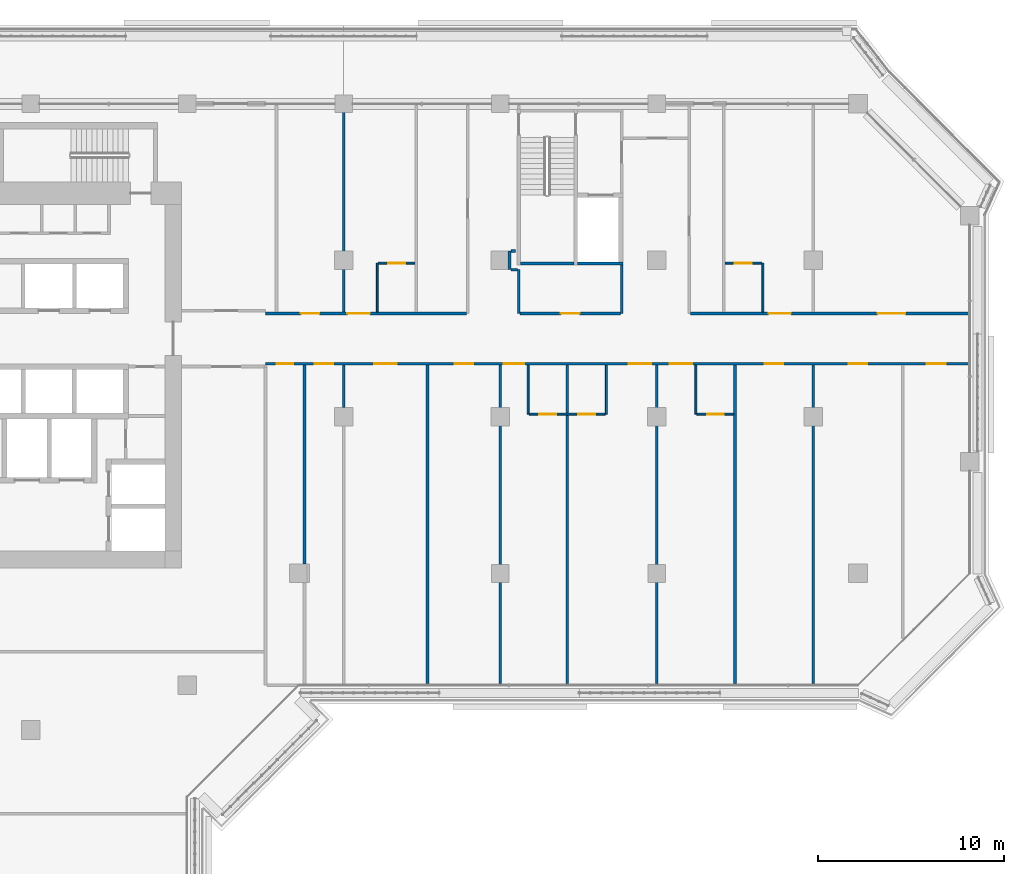
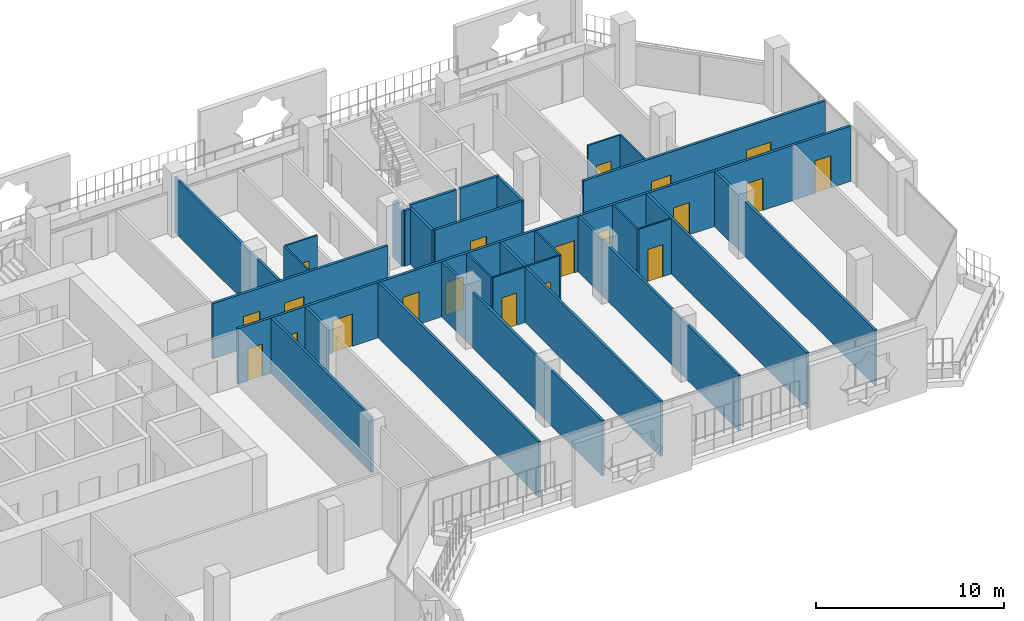
# One storey, part 13 of 22: 29 walls, 20 doors, 20 openings.
"""IFC4 building model written with IfcOpenShell, lengths in metres."""

from ifc_helpers import new_model, si_unit, direction, frame, frame_2d, origin, place, context, subcontext, project, spatial, rectangle, extrude, material, layer, layer_set, type_object, element, fill, save


model = new_model("IFC4")

# Units and contexts
model_context = context("Model", 3, precision=1e-05, world=origin(), true_north=direction((0.0, 1.0)))
body_context = subcontext(model_context, "Body", "Model", "MODEL_VIEW")
ifc_project = project(units=[si_unit("LENGTHUNIT", "METRE"), si_unit("AREAUNIT", "SQUARE_METRE"), si_unit("VOLUMEUNIT", "CUBIC_METRE"), si_unit("PLANEANGLEUNIT", "RADIAN"), si_unit("MASSUNIT", "GRAM", prefix="KILO")], contexts=[model_context])

# Site, building, storey
site_placement = place(None, origin())
site = spatial("IfcSite", under=ifc_project, at=site_placement, CompositionType="ELEMENT")
building_placement = place(site_placement, origin())
building = spatial("IfcBuilding", under=site, at=building_placement, Name="Kawkab Arch Medical Tower", CompositionType="ELEMENT")
storey_placement = place(building_placement, frame((0.0, 0.0, 196.199951171875)))
storey = spatial("IfcBuildingStorey", under=building, at=storey_placement, Name="L45", CompositionType="ELEMENT", Elevation=196.199951171875)

# Wall, openings, doors
ifc_material_1 = material(Name="Gypsum board partition on steel studs", Category="steel")
ifc_layer_1 = layer(ifc_material_1, 0.10009765625)
ifc_layer_set_1 = layer_set([ifc_layer_1], Name="Gypsum board partition on steel studs")
wall_type_1 = type_object("IfcWallType", Name="Partition 100", PredefinedType="PARTITIONING", material=ifc_layer_set_1)
wall_1_placement = place(storey_placement, frame((43.550048828125, -16.64990234375, 0.0), z_axis=(0.0, 0.0, 1.0), x_axis=(1.0, 0.0, 0.0)))
wall_1 = element("IfcWall", 1, at=wall_1_placement, inside=storey, type_object=wall_type_1, Name="Partition 100 w003", PredefinedType="PARTITIONING", context=body_context, shape_type="SweptSolid", body=[
    extrude(rectangle(XDim=4.099853515625, YDim=0.10009765625, at=frame_2d((2.0498046875, 0.0))), origin(), (0.0, 0.0, 1.0), 3.60009765625),
])
opening_1_placement = place(wall_1_placement, frame((0.550048828125, 0.0, 0.0)))
opening_1 = element("IfcOpeningElement", 2, at=opening_1_placement, cuts=wall_1, Name="Opening W40-007", PredefinedType="OPENING", context=body_context, shape_type="SweptSolid", body=[
    extrude(rectangle(XDim=0.89990234375, YDim=2.10009765625, at=frame_2d((0.449951171875, 1.050048828125))), frame((0.0, 0.06005859375, 0.0), z_axis=(0.0, -1.0, 0.0), x_axis=(1.0, 0.0, 0.0)), (0.0, 0.0, 1.0), 0.1201171875),
])
opening_2_placement = place(wall_1_placement, frame((2.64990234375, 0.0, 0.0)))
opening_2 = element("IfcOpeningElement", 3, at=opening_2_placement, cuts=wall_1, Name="Opening W40-008", PredefinedType="OPENING", context=body_context, shape_type="SweptSolid", body=[
    extrude(rectangle(XDim=0.89990234375, YDim=2.10009765625, at=frame_2d((0.449951171875, 1.050048828125))), frame((0.0, 0.06005859375, 0.0), z_axis=(0.0, -1.0, 0.0), x_axis=(1.0, 0.0, 0.0)), (0.0, 0.0, 1.0), 0.1201171875),
])
ifc_material_2 = material(Name="Timber door leaf", Category="wood")
door_type_1 = type_object("IfcDoorType", Name="Single door 900x2100", OperationType="NOTDEFINED", PredefinedType="DOOR", material=ifc_material_2)
door_1_placement = place(opening_1_placement, origin())
door_1 = element("IfcDoor", 4, at=door_1_placement, inside=storey, type_object=door_type_1, Name="Door W40-007", OperationType="SINGLE_SWING_RIGHT", OverallHeight=2.10009765625, OverallWidth=0.89990234375, PredefinedType="DOOR", context=body_context, shape_type="SweptSolid", body=[
    extrude(rectangle(XDim=0.89990234375, YDim=2.10009765625, at=frame_2d((0.449951171875, 1.050048828125))), frame((0.0, 0.02490234375, 0.0), z_axis=(0.0, -1.0, 0.0), x_axis=(1.0, 0.0, 0.0)), (0.0, 0.0, 1.0), 0.050048828125),
])
fill(opening_1, door_1)
door_2_placement = place(opening_2_placement, origin())
door_2 = element("IfcDoor", 5, at=door_2_placement, inside=storey, type_object=door_type_1, Name="Door W40-008", OperationType="SINGLE_SWING_LEFT", OverallHeight=2.10009765625, OverallWidth=0.89990234375, PredefinedType="DOOR", context=body_context, shape_type="SweptSolid", body=[
    extrude(rectangle(XDim=0.89990234375, YDim=2.10009765625, at=frame_2d((0.449951171875, 1.050048828125))), frame((0.0, 0.02490234375, 0.0), z_axis=(0.0, -1.0, 0.0), x_axis=(1.0, 0.0, 0.0)), (0.0, 0.0, 1.0), 0.050048828125),
])
fill(opening_2, door_2)

# Wall, opening, door
wall_2_placement = place(storey_placement, frame((52.550048828125, -16.64990234375, 0.0), z_axis=(0.0, 0.0, 1.0), x_axis=(1.0, 0.0, 0.0)))
wall_2 = element("IfcWall", 6, at=wall_2_placement, inside=storey, type_object=wall_type_1, Name="Partition 100 w004", PredefinedType="PARTITIONING", context=body_context, shape_type="SweptSolid", body=[
    extrude(rectangle(XDim=1.974853515625, YDim=0.10009765625, at=frame_2d((0.9873046875, 0.0))), origin(), (0.0, 0.0, 1.0), 3.60009765625),
])
opening_3_placement = place(wall_2_placement, frame((0.550048828125, 0.0, 0.0)))
opening_3 = element("IfcOpeningElement", 7, at=opening_3_placement, cuts=wall_2, Name="Opening W40-009", PredefinedType="OPENING", context=body_context, shape_type="SweptSolid", body=[
    extrude(rectangle(XDim=0.89990234375, YDim=2.10009765625, at=frame_2d((0.449951171875, 1.050048828125))), frame((0.0, 0.06005859375, 0.0), z_axis=(0.0, -1.0, 0.0), x_axis=(1.0, 0.0, 0.0)), (0.0, 0.0, 1.0), 0.1201171875),
])
door_3_placement = place(opening_3_placement, origin())
door_3 = element("IfcDoor", 8, at=door_3_placement, inside=storey, type_object=door_type_1, Name="Door W40-009", OperationType="SINGLE_SWING_RIGHT", OverallHeight=2.10009765625, OverallWidth=0.89990234375, PredefinedType="DOOR", context=body_context, shape_type="SweptSolid", body=[
    extrude(rectangle(XDim=0.89990234375, YDim=2.10009765625, at=frame_2d((0.449951171875, 1.050048828125))), frame((0.0, 0.02490234375, 0.0), z_axis=(0.0, -1.0, 0.0), x_axis=(1.0, 0.0, 0.0)), (0.0, 0.0, 1.0), 0.050048828125),
])
fill(opening_3, door_3)

wall_3_placement = place(storey_placement, frame((35.449951171875, -8.550048828125, 0.0), z_axis=(0.0, 0.0, 1.0), x_axis=(1.0, 0.0, 0.0)))
wall_3 = element("IfcWall", 9, at=wall_3_placement, inside=storey, type_object=wall_type_1, Name="Partition 100 w005", PredefinedType="PARTITIONING", context=body_context, shape_type="SweptSolid", body=[
    extrude(rectangle(XDim=1.97509765625, YDim=0.10009765625, at=frame_2d((0.987548828125, 0.0))), origin(), (0.0, 0.0, 1.0), 3.60009765625),
])
opening_4_placement = place(wall_3_placement, frame((0.550048828125, 0.0, 0.0)))
opening_4 = element("IfcOpeningElement", 10, at=opening_4_placement, cuts=wall_3, Name="Opening W40-005", PredefinedType="OPENING", context=body_context, shape_type="SweptSolid", body=[
    extrude(rectangle(XDim=0.89990234375, YDim=2.10009765625, at=frame_2d((0.449951171875, 1.050048828125))), frame((0.0, 0.06005859375, 0.0), z_axis=(0.0, -1.0, 0.0), x_axis=(1.0, 0.0, 0.0)), (0.0, 0.0, 1.0), 0.1201171875),
])
door_4_placement = place(opening_4_placement, origin())
door_4 = element("IfcDoor", 11, at=door_4_placement, inside=storey, type_object=door_type_1, Name="Door W40-005", OperationType="SINGLE_SWING_LEFT", OverallHeight=2.10009765625, OverallWidth=0.89990234375, PredefinedType="DOOR", context=body_context, shape_type="SweptSolid", body=[
    extrude(rectangle(XDim=0.89990234375, YDim=2.10009765625, at=frame_2d((0.449951171875, 1.050048828125))), frame((0.0, 0.02490234375, 0.0), z_axis=(0.0, -1.0, 0.0), x_axis=(1.0, 0.0, 0.0)), (0.0, 0.0, 1.0), 0.050048828125),
])
fill(opening_4, door_4)

wall_4_placement = place(storey_placement, frame((54.074951171875, -8.550048828125, 0.0), z_axis=(0.0, 0.0, 1.0), x_axis=(1.0, 0.0, 0.0)))
wall_4 = element("IfcWall", 12, at=wall_4_placement, inside=storey, type_object=wall_type_1, Name="Partition 100 w006", PredefinedType="PARTITIONING", context=body_context, shape_type="SweptSolid", body=[
    extrude(rectangle(XDim=1.97509765625, YDim=0.10009765625, at=frame_2d((0.987548828125, 0.0))), origin(), (0.0, 0.0, 1.0), 3.60009765625),
])
opening_5_placement = place(wall_4_placement, frame((0.52490234375, 0.0, 0.0)))
opening_5 = element("IfcOpeningElement", 13, at=opening_5_placement, cuts=wall_4, Name="Opening W40-006", PredefinedType="OPENING", context=body_context, shape_type="SweptSolid", body=[
    extrude(rectangle(XDim=0.89990234375, YDim=2.10009765625, at=frame_2d((0.449951171875, 1.050048828125))), frame((0.0, 0.06005859375, 0.0), z_axis=(0.0, -1.0, 0.0), x_axis=(1.0, 0.0, 0.0)), (0.0, 0.0, 1.0), 0.1201171875),
])
door_5_placement = place(opening_5_placement, origin())
door_5 = element("IfcDoor", 14, at=door_5_placement, inside=storey, type_object=door_type_1, Name="Door W40-006", OperationType="SINGLE_SWING_LEFT", OverallHeight=2.10009765625, OverallWidth=0.89990234375, PredefinedType="DOOR", context=body_context, shape_type="SweptSolid", body=[
    extrude(rectangle(XDim=0.89990234375, YDim=2.10009765625, at=frame_2d((0.449951171875, 1.050048828125))), frame((0.0, 0.02490234375, 0.0), z_axis=(0.0, -1.0, 0.0), x_axis=(1.0, 0.0, 0.0)), (0.0, 0.0, 1.0), 0.050048828125),
])
fill(opening_5, door_5)

# Walls
for number, where, z_axis, x_axis, name in (
    (15, (35.39990234375, -11.175048828125, 0.0), (0.0, 0.0, 1.0), (0.0, 1.0, 0.0), "Partition 100 w010"),
    (16, (43.5, -16.64990234375, 0.0), (0.0, 0.0, 1.0), (0.0, 1.0, 0.0), "Partition 100 w011"),
    (17, (47.699951171875, -16.64990234375, 0.0), (0.0, 0.0, 1.0), (0.0, 1.0, 0.0), "Partition 100 w012"),
    (18, (52.5, -16.64990234375, 0.0), (0.0, 0.0, 1.0), (0.0, 1.0, 0.0), "Partition 100 w013"),
    (19, (56.10009765625, -11.175048828125, 0.0), (0.0, 0.0, 1.0), (0.0, 1.0, 0.0), "Partition 100 w014"),
):
    element("IfcWall", number, at=place(storey_placement, frame(where, z_axis=z_axis, x_axis=x_axis)), inside=storey, type_object=wall_type_1, Name=name, PredefinedType="PARTITIONING", context=body_context, shape_type="SweptSolid", body=[
        extrude(rectangle(XDim=2.625, YDim=0.10009765625, at=frame_2d((1.3125, 0.0))), origin(), (0.0, 0.0, 1.0), 3.60009765625),
    ])

# Wall, openings, doors
ifc_material_3 = material(Name="Gypsum board partition on steel studs, mineral wool", Category="steel")
ifc_layer_2 = layer(ifc_material_3, 0.14990234375)
ifc_layer_set_2 = layer_set([ifc_layer_2], Name="Gypsum board partition on steel studs, mineral wool")
wall_type_2 = type_object("IfcWallType", Name="Partition 150", PredefinedType="PARTITIONING", material=ifc_layer_set_2)
wall_5_placement = place(storey_placement, frame((29.39990234375, -13.949951171875, 0.0), z_axis=(0.0, 0.0, 1.0), x_axis=(1.0, 0.0, 0.0)))
wall_5 = element("IfcWall", 20, at=wall_5_placement, inside=storey, type_object=wall_type_2, Name="Partition 150 w028", PredefinedType="PARTITIONING", context=body_context, shape_type="SweptSolid", body=[
    extrude(rectangle(XDim=37.72021484375, YDim=0.14990234375, at=frame_2d((18.860107421875, 0.0))), origin(), (0.0, 0.0, 1.0), 3.60009765625),
])
opening_6_placement = place(wall_5_placement, frame((10.14990234375, 0.0, 0.0)))
opening_6 = element("IfcOpeningElement", 21, at=opening_6_placement, cuts=wall_5, Name="Opening W40-019", PredefinedType="OPENING", context=body_context, shape_type="SweptSolid", body=[
    extrude(rectangle(XDim=1.0, YDim=2.10009765625, at=frame_2d((0.5, 1.050048828125))), frame((0.0, 0.0849609375, 0.0), z_axis=(0.0, -1.0, 0.0), x_axis=(1.0, 0.0, 0.0)), (0.0, 0.0, 1.0), 0.169921875),
])
opening_7_placement = place(wall_5_placement, frame((12.800048828125, 0.0, 0.0)))
opening_7 = element("IfcOpeningElement", 22, at=opening_7_placement, cuts=wall_5, Name="Opening W40-026", PredefinedType="OPENING", context=body_context, shape_type="SweptSolid", body=[
    extrude(rectangle(XDim=1.10009765625, YDim=2.10009765625, at=frame_2d((0.550048828125, 1.050048828125))), frame((0.0, 0.0849609375, 0.0), z_axis=(0.0, -1.0, 0.0), x_axis=(1.0, 0.0, 0.0)), (0.0, 0.0, 1.0), 0.169921875),
])
opening_8_placement = place(wall_5_placement, frame((19.5, 0.0, 0.0)))
opening_8 = element("IfcOpeningElement", 23, at=opening_8_placement, cuts=wall_5, Name="Opening W40-031", PredefinedType="OPENING", context=body_context, shape_type="SweptSolid", body=[
    extrude(rectangle(XDim=1.199951171875, YDim=2.10009765625, at=frame_2d((0.60009765625, 1.050048828125))), frame((0.0, 0.0849609375, 0.0), z_axis=(0.0, -1.0, 0.0), x_axis=(1.0, 0.0, 0.0)), (0.0, 0.0, 1.0), 0.169921875),
])
opening_9_placement = place(wall_5_placement, frame((21.699951171875, 0.0, 0.0)))
opening_9 = element("IfcOpeningElement", 24, at=opening_9_placement, cuts=wall_5, Name="Opening W40-032", PredefinedType="OPENING", context=body_context, shape_type="SweptSolid", body=[
    extrude(rectangle(XDim=1.199951171875, YDim=2.10009765625, at=frame_2d((0.60009765625, 1.050048828125))), frame((0.0, 0.0849609375, 0.0), z_axis=(0.0, -1.0, 0.0), x_axis=(1.0, 0.0, 0.0)), (0.0, 0.0, 1.0), 0.169921875),
])
opening_10_placement = place(wall_5_placement, frame((26.800048828125, 0.0, 0.0)))
opening_10 = element("IfcOpeningElement", 25, at=opening_10_placement, cuts=wall_5, Name="Opening W40-020", PredefinedType="OPENING", context=body_context, shape_type="SweptSolid", body=[
    extrude(rectangle(XDim=1.0, YDim=2.10009765625, at=frame_2d((0.5, 1.050048828125))), frame((0.0, 0.0849609375, 0.0), z_axis=(0.0, -1.0, 0.0), x_axis=(1.0, 0.0, 0.0)), (0.0, 0.0, 1.0), 0.169921875),
])
opening_11_placement = place(wall_5_placement, frame((31.300048828125, 0.0, 0.0)))
opening_11 = element("IfcOpeningElement", 26, at=opening_11_placement, cuts=wall_5, Name="Opening W40-021", PredefinedType="OPENING", context=body_context, shape_type="SweptSolid", body=[
    extrude(rectangle(XDim=1.0, YDim=2.10009765625, at=frame_2d((0.5, 1.050048828125))), frame((0.0, 0.0849609375, 0.0), z_axis=(0.0, -1.0, 0.0), x_axis=(1.0, 0.0, 0.0)), (0.0, 0.0, 1.0), 0.169921875),
])
opening_12_placement = place(wall_5_placement, frame((35.5, 0.0, 0.0)))
opening_12 = element("IfcOpeningElement", 27, at=opening_12_placement, cuts=wall_5, Name="Opening W40-022", PredefinedType="OPENING", context=body_context, shape_type="SweptSolid", body=[
    extrude(rectangle(XDim=1.0, YDim=2.10009765625, at=frame_2d((0.5, 1.050048828125))), frame((0.0, 0.0849609375, 0.0), z_axis=(0.0, -1.0, 0.0), x_axis=(1.0, 0.0, 0.0)), (0.0, 0.0, 1.0), 0.169921875),
])
opening_13_placement = place(wall_5_placement, frame((0.60009765625, 0.0, 0.0)))
opening_13 = element("IfcOpeningElement", 28, at=opening_13_placement, cuts=wall_5, Name="Opening W40-012", PredefinedType="OPENING", context=body_context, shape_type="SweptSolid", body=[
    extrude(rectangle(XDim=0.89990234375, YDim=2.10009765625, at=frame_2d((0.449951171875, 1.050048828125))), frame((0.0, 0.0849609375, 0.0), z_axis=(0.0, -1.0, 0.0), x_axis=(1.0, 0.0, 0.0)), (0.0, 0.0, 1.0), 0.169921875),
])
opening_14_placement = place(wall_5_placement, frame((2.64990234375, 0.0, 0.0)))
opening_14 = element("IfcOpeningElement", 29, at=opening_14_placement, cuts=wall_5, Name="Opening W40-013", PredefinedType="OPENING", context=body_context, shape_type="SweptSolid", body=[
    extrude(rectangle(XDim=1.0, YDim=2.10009765625, at=frame_2d((0.5, 1.050048828125))), frame((0.0, 0.0849609375, 0.0), z_axis=(0.0, -1.0, 0.0), x_axis=(1.0, 0.0, 0.0)), (0.0, 0.0, 1.0), 0.169921875),
])
opening_15_placement = place(wall_5_placement, frame((5.85009765625, 0.0, 0.0)))
opening_15 = element("IfcOpeningElement", 30, at=opening_15_placement, cuts=wall_5, Name="Opening W40-037", PredefinedType="OPENING", context=body_context, shape_type="SweptSolid", body=[
    extrude(rectangle(XDim=1.199951171875, YDim=2.10009765625, at=frame_2d((0.60009765625, 1.050048828125))), frame((0.0, 0.0849609375, 0.0), z_axis=(0.0, -1.0, 0.0), x_axis=(1.0, 0.0, 0.0)), (0.0, 0.0, 1.0), 0.169921875),
])
ifc_material_4 = material(Name="Timber door leaf", Category="wood")
door_type_2 = type_object("IfcDoorType", Name="Single door 1000x2100", OperationType="NOTDEFINED", PredefinedType="DOOR", material=ifc_material_4)
door_6_placement = place(opening_14_placement, origin())
door_6 = element("IfcDoor", 31, at=door_6_placement, inside=storey, type_object=door_type_2, Name="Door W40-013", OperationType="SINGLE_SWING_RIGHT", OverallHeight=2.10009765625, OverallWidth=1.0, PredefinedType="DOOR", context=body_context, shape_type="SweptSolid", body=[
    extrude(rectangle(XDim=1.0, YDim=2.10009765625, at=frame_2d((0.5, 1.050048828125))), frame((0.0, 0.02490234375, 0.0), z_axis=(0.0, -1.0, 0.0), x_axis=(1.0, 0.0, 0.0)), (0.0, 0.0, 1.0), 0.050048828125),
])
fill(opening_14, door_6)
ifc_material_5 = material(Name="Hollow metal door leaf")
door_type_3 = type_object("IfcDoorType", Name="Single door 1000x2100 FD30S", OperationType="NOTDEFINED", PredefinedType="DOOR", material=ifc_material_5)
door_7_placement = place(opening_6_placement, origin())
door_7 = element("IfcDoor", 32, at=door_7_placement, inside=storey, type_object=door_type_3, Name="Door W40-019", OperationType="SINGLE_SWING_RIGHT", OverallHeight=2.10009765625, OverallWidth=1.0, PredefinedType="DOOR", context=body_context, shape_type="SweptSolid", body=[
    extrude(rectangle(XDim=1.0, YDim=2.10009765625, at=frame_2d((0.5, 1.050048828125))), frame((0.0, 0.02490234375, 0.0), z_axis=(0.0, -1.0, 0.0), x_axis=(1.0, 0.0, 0.0)), (0.0, 0.0, 1.0), 0.050048828125),
])
fill(opening_6, door_7)
door_8_placement = place(opening_10_placement, origin())
door_8 = element("IfcDoor", 33, at=door_8_placement, inside=storey, type_object=door_type_3, Name="Door W40-020", OperationType="SINGLE_SWING_LEFT", OverallHeight=2.10009765625, OverallWidth=1.0, PredefinedType="DOOR", context=body_context, shape_type="SweptSolid", body=[
    extrude(rectangle(XDim=1.0, YDim=2.10009765625, at=frame_2d((0.5, 1.050048828125))), frame((0.0, 0.02490234375, 0.0), z_axis=(0.0, -1.0, 0.0), x_axis=(1.0, 0.0, 0.0)), (0.0, 0.0, 1.0), 0.050048828125),
])
fill(opening_10, door_8)
door_9_placement = place(opening_11_placement, origin())
door_9 = element("IfcDoor", 34, at=door_9_placement, inside=storey, type_object=door_type_3, Name="Door W40-021", OperationType="SINGLE_SWING_LEFT", OverallHeight=2.10009765625, OverallWidth=1.0, PredefinedType="DOOR", context=body_context, shape_type="SweptSolid", body=[
    extrude(rectangle(XDim=1.0, YDim=2.10009765625, at=frame_2d((0.5, 1.050048828125))), frame((0.0, 0.02490234375, 0.0), z_axis=(0.0, -1.0, 0.0), x_axis=(1.0, 0.0, 0.0)), (0.0, 0.0, 1.0), 0.050048828125),
])
fill(opening_11, door_9)
door_10_placement = place(opening_12_placement, origin())
door_10 = element("IfcDoor", 35, at=door_10_placement, inside=storey, type_object=door_type_3, Name="Door W40-022", OperationType="SINGLE_SWING_LEFT", OverallHeight=2.10009765625, OverallWidth=1.0, PredefinedType="DOOR", context=body_context, shape_type="SweptSolid", body=[
    extrude(rectangle(XDim=1.0, YDim=2.10009765625, at=frame_2d((0.5, 1.050048828125))), frame((0.0, 0.02490234375, 0.0), z_axis=(0.0, -1.0, 0.0), x_axis=(1.0, 0.0, 0.0)), (0.0, 0.0, 1.0), 0.050048828125),
])
fill(opening_12, door_10)
ifc_material_6 = material(Name="Hollow metal door leaf")
door_type_4 = type_object("IfcDoorType", Name="Single door 1100x2100 FD30S", OperationType="NOTDEFINED", PredefinedType="DOOR", material=ifc_material_6)
door_11_placement = place(opening_7_placement, origin())
door_11 = element("IfcDoor", 36, at=door_11_placement, inside=storey, type_object=door_type_4, Name="Door W40-026", OperationType="SINGLE_SWING_RIGHT", OverallHeight=2.10009765625, OverallWidth=1.10009765625, PredefinedType="DOOR", context=body_context, shape_type="SweptSolid", body=[
    extrude(rectangle(XDim=1.10009765625, YDim=2.10009765625, at=frame_2d((0.550048828125, 1.050048828125))), frame((0.0, 0.02490234375, 0.0), z_axis=(0.0, -1.0, 0.0), x_axis=(1.0, 0.0, 0.0)), (0.0, 0.0, 1.0), 0.050048828125),
])
fill(opening_7, door_11)
ifc_material_7 = material(Name="Hollow metal door leaf")
door_type_5 = type_object("IfcDoorType", Name="Single door 1200x2100 FD30S", OperationType="NOTDEFINED", PredefinedType="DOOR", material=ifc_material_7)
door_12_placement = place(opening_8_placement, origin())
door_12 = element("IfcDoor", 37, at=door_12_placement, inside=storey, type_object=door_type_5, Name="Door W40-031", OperationType="SINGLE_SWING_LEFT", OverallHeight=2.10009765625, OverallWidth=1.199951171875, PredefinedType="DOOR", context=body_context, shape_type="SweptSolid", body=[
    extrude(rectangle(XDim=1.199951171875, YDim=2.10009765625, at=frame_2d((0.60009765625, 1.050048828125))), frame((0.0, 0.02490234375, 0.0), z_axis=(0.0, -1.0, 0.0), x_axis=(1.0, 0.0, 0.0)), (0.0, 0.0, 1.0), 0.050048828125),
])
fill(opening_8, door_12)
door_13_placement = place(opening_9_placement, origin())
door_13 = element("IfcDoor", 38, at=door_13_placement, inside=storey, type_object=door_type_5, Name="Door W40-032", OperationType="SINGLE_SWING_LEFT", OverallHeight=2.10009765625, OverallWidth=1.199951171875, PredefinedType="DOOR", context=body_context, shape_type="SweptSolid", body=[
    extrude(rectangle(XDim=1.199951171875, YDim=2.10009765625, at=frame_2d((0.60009765625, 1.050048828125))), frame((0.0, 0.02490234375, 0.0), z_axis=(0.0, -1.0, 0.0), x_axis=(1.0, 0.0, 0.0)), (0.0, 0.0, 1.0), 0.050048828125),
])
fill(opening_9, door_13)
door_14_placement = place(opening_15_placement, origin())
door_14 = element("IfcDoor", 39, at=door_14_placement, inside=storey, type_object=door_type_5, Name="Door W40-037", OperationType="SINGLE_SWING_RIGHT", OverallHeight=2.10009765625, OverallWidth=1.199951171875, PredefinedType="DOOR", context=body_context, shape_type="SweptSolid", body=[
    extrude(rectangle(XDim=1.199951171875, YDim=2.10009765625, at=frame_2d((0.60009765625, 1.050048828125))), frame((0.0, 0.02490234375, 0.0), z_axis=(0.0, -1.0, 0.0), x_axis=(1.0, 0.0, 0.0)), (0.0, 0.0, 1.0), 0.050048828125),
])
fill(opening_15, door_14)
door_15_placement = place(opening_13_placement, origin())
door_15 = element("IfcDoor", 40, at=door_15_placement, inside=storey, type_object=door_type_1, Name="Door W40-012", OperationType="SINGLE_SWING_RIGHT", OverallHeight=2.10009765625, OverallWidth=0.89990234375, PredefinedType="DOOR", context=body_context, shape_type="SweptSolid", body=[
    extrude(rectangle(XDim=0.89990234375, YDim=2.10009765625, at=frame_2d((0.449951171875, 1.050048828125))), frame((0.0, 0.02490234375, 0.0), z_axis=(0.0, -1.0, 0.0), x_axis=(1.0, 0.0, 0.0)), (0.0, 0.0, 1.0), 0.050048828125),
])
fill(opening_13, door_15)

wall_6_placement = place(storey_placement, frame((29.39990234375, -11.25, 0.0), z_axis=(0.0, 0.0, 1.0), x_axis=(1.0, 0.0, 0.0)))
wall_6 = element("IfcWall", 41, at=wall_6_placement, inside=storey, type_object=wall_type_2, Name="Partition 150 w029", PredefinedType="PARTITIONING", context=body_context, shape_type="SweptSolid", body=[
    extrude(rectangle(XDim=10.781982421875, YDim=0.14990234375, at=frame_2d((5.39111328125, 0.0))), origin(), (0.0, 0.0, 1.0), 3.60009765625),
])
opening_16_placement = place(wall_6_placement, frame((1.89990234375, 0.0, 0.0)))
opening_16 = element("IfcOpeningElement", 42, at=opening_16_placement, cuts=wall_6, Name="Opening W40-014", PredefinedType="OPENING", context=body_context, shape_type="SweptSolid", body=[
    extrude(rectangle(XDim=1.0, YDim=2.10009765625, at=frame_2d((0.5, 1.050048828125))), frame((0.0, 0.0849609375, 0.0), z_axis=(0.0, -1.0, 0.0), x_axis=(1.0, 0.0, 0.0)), (0.0, 0.0, 1.0), 0.169921875),
])
opening_17_placement = place(wall_6_placement, frame((4.39990234375, 0.0, 0.0)))
opening_17 = element("IfcOpeningElement", 43, at=opening_17_placement, cuts=wall_6, Name="Opening W40-029", PredefinedType="OPENING", context=body_context, shape_type="SweptSolid", body=[
    extrude(rectangle(XDim=1.199951171875, YDim=2.10009765625, at=frame_2d((0.60009765625, 1.050048828125))), frame((0.0, 0.0849609375, 0.0), z_axis=(0.0, -1.0, 0.0), x_axis=(1.0, 0.0, 0.0)), (0.0, 0.0, 1.0), 0.169921875),
])
door_16_placement = place(opening_16_placement, origin())
door_16 = element("IfcDoor", 44, at=door_16_placement, inside=storey, type_object=door_type_3, Name="Door W40-014", OperationType="SINGLE_SWING_LEFT", OverallHeight=2.10009765625, OverallWidth=1.0, PredefinedType="DOOR", context=body_context, shape_type="SweptSolid", body=[
    extrude(rectangle(XDim=1.0, YDim=2.10009765625, at=frame_2d((0.5, 1.050048828125))), frame((0.0, 0.02490234375, 0.0), z_axis=(0.0, -1.0, 0.0), x_axis=(1.0, 0.0, 0.0)), (0.0, 0.0, 1.0), 0.050048828125),
])
fill(opening_16, door_16)
door_17_placement = place(opening_17_placement, origin())
door_17 = element("IfcDoor", 45, at=door_17_placement, inside=storey, type_object=door_type_5, Name="Door W40-029", OperationType="SINGLE_SWING_LEFT", OverallHeight=2.10009765625, OverallWidth=1.199951171875, PredefinedType="DOOR", context=body_context, shape_type="SweptSolid", body=[
    extrude(rectangle(XDim=1.199951171875, YDim=2.10009765625, at=frame_2d((0.60009765625, 1.050048828125))), frame((0.0, 0.02490234375, 0.0), z_axis=(0.0, -1.0, 0.0), x_axis=(1.0, 0.0, 0.0)), (0.0, 0.0, 1.0), 0.050048828125),
])
fill(opening_17, door_17)

# Wall, opening, door
wall_7_placement = place(storey_placement, frame((43.074951171875, -11.25, 0.0), z_axis=(0.0, 0.0, 1.0), x_axis=(1.0, 0.0, 0.0)))
wall_7 = element("IfcWall", 46, at=wall_7_placement, inside=storey, type_object=wall_type_2, Name="Partition 150 w030", PredefinedType="PARTITIONING", context=body_context, shape_type="SweptSolid", body=[
    extrude(rectangle(XDim=5.375, YDim=0.14990234375, at=frame_2d((2.6875, 0.0))), origin(), (0.0, 0.0, 1.0), 3.60009765625),
])
opening_18_placement = place(wall_7_placement, frame((2.18798828125, 0.0, 0.0)))
opening_18 = element("IfcOpeningElement", 47, at=opening_18_placement, cuts=wall_7, Name="Opening W40-016", PredefinedType="OPENING", context=body_context, shape_type="SweptSolid", body=[
    extrude(rectangle(XDim=1.0, YDim=2.10009765625, at=frame_2d((0.5, 1.050048828125))), frame((0.0, 0.0849609375, 0.0), z_axis=(0.0, -1.0, 0.0), x_axis=(1.0, 0.0, 0.0)), (0.0, 0.0, 1.0), 0.169921875),
])
door_18_placement = place(opening_18_placement, origin())
door_18 = element("IfcDoor", 48, at=door_18_placement, inside=storey, type_object=door_type_3, Name="Door W40-016", OperationType="SINGLE_SWING_LEFT", OverallHeight=2.10009765625, OverallWidth=1.0, PredefinedType="DOOR", context=body_context, shape_type="SweptSolid", body=[
    extrude(rectangle(XDim=1.0, YDim=2.10009765625, at=frame_2d((0.5, 1.050048828125))), frame((0.0, 0.02490234375, 0.0), z_axis=(0.0, -1.0, 0.0), x_axis=(1.0, 0.0, 0.0)), (0.0, 0.0, 1.0), 0.050048828125),
])
fill(opening_18, door_18)

# Wall, openings, doors
wall_8_placement = place(storey_placement, frame((52.218017578125, -11.25, 0.0), z_axis=(0.0, 0.0, 1.0), x_axis=(1.0, 0.0, 0.0)))
wall_8 = element("IfcWall", 49, at=wall_8_placement, inside=storey, type_object=wall_type_2, Name="Partition 150 w031", PredefinedType="PARTITIONING", context=body_context, shape_type="SweptSolid", body=[
    extrude(rectangle(XDim=14.902099609375, YDim=0.14990234375, at=frame_2d((7.451171875, 0.0))), origin(), (0.0, 0.0, 1.0), 3.60009765625),
])
opening_19_placement = place(wall_8_placement, frame((4.181884765625, 0.0, 0.0)))
opening_19 = element("IfcOpeningElement", 50, at=opening_19_placement, cuts=wall_8, Name="Opening W40-030", PredefinedType="OPENING", context=body_context, shape_type="SweptSolid", body=[
    extrude(rectangle(XDim=1.199951171875, YDim=2.10009765625, at=frame_2d((0.60009765625, 1.050048828125))), frame((0.0, 0.0849609375, 0.0), z_axis=(0.0, -1.0, 0.0), x_axis=(1.0, 0.0, 0.0)), (0.0, 0.0, 1.0), 0.169921875),
])
opening_20_placement = place(wall_8_placement, frame((10.031982421875, 0.0, 0.0)))
opening_20 = element("IfcOpeningElement", 51, at=opening_20_placement, cuts=wall_8, Name="Opening W40-002", PredefinedType="OPENING", context=body_context, shape_type="SweptSolid", body=[
    extrude(rectangle(XDim=1.5, YDim=2.10009765625, at=frame_2d((0.75, 1.050048828125))), frame((0.0, 0.0849609375, 0.0), z_axis=(0.0, -1.0, 0.0), x_axis=(1.0, 0.0, 0.0)), (0.0, 0.0, 1.0), 0.169921875),
])
ifc_material_8 = material(Name="Hollow metal door leaf")
door_type_6 = type_object("IfcDoorType", Name="Double door 1500x2100 FD30S", OperationType="NOTDEFINED", PredefinedType="DOOR", material=ifc_material_8)
door_19_placement = place(opening_20_placement, origin())
door_19 = element("IfcDoor", 52, at=door_19_placement, inside=storey, type_object=door_type_6, Name="Door W40-002", OperationType="DOUBLE_DOOR_SINGLE_SWING", OverallHeight=2.10009765625, OverallWidth=1.5, PredefinedType="DOOR", context=body_context, shape_type="SweptSolid", body=[
    extrude(rectangle(XDim=1.5, YDim=2.10009765625, at=frame_2d((0.75, 1.050048828125))), frame((0.0, 0.02490234375, 0.0), z_axis=(0.0, -1.0, 0.0), x_axis=(1.0, 0.0, 0.0)), (0.0, 0.0, 1.0), 0.050048828125),
])
fill(opening_20, door_19)
door_20_placement = place(opening_19_placement, origin())
door_20 = element("IfcDoor", 53, at=door_20_placement, inside=storey, type_object=door_type_5, Name="Door W40-030", OperationType="SINGLE_SWING_LEFT", OverallHeight=2.10009765625, OverallWidth=1.199951171875, PredefinedType="DOOR", context=body_context, shape_type="SweptSolid", body=[
    extrude(rectangle(XDim=1.199951171875, YDim=2.10009765625, at=frame_2d((0.60009765625, 1.050048828125))), frame((0.0, 0.02490234375, 0.0), z_axis=(0.0, -1.0, 0.0), x_axis=(1.0, 0.0, 0.0)), (0.0, 0.0, 1.0), 0.050048828125),
])
fill(opening_19, door_20)

# Walls
wall_9_placement = place(storey_placement, frame((42.576904296875, -8.89990234375, 0.0), z_axis=(0.0, 0.0, 1.0), x_axis=(1.0, 0.0, 0.0)))
element("IfcWall", 54, at=wall_9_placement, inside=storey, type_object=wall_type_2, Name="Partition 150 w034", PredefinedType="PARTITIONING", context=body_context, shape_type="SweptSolid", body=[
    extrude(rectangle(XDim=0.34619140625, YDim=0.14990234375, at=frame_2d((0.173095703125, 0.0))), origin(), (0.0, 0.0, 1.0), 3.60009765625),
])
wall_10_placement = place(storey_placement, frame((42.576904296875, -7.89990234375, 0.0), z_axis=(0.0, 0.0, 1.0), x_axis=(1.0, 0.0, 0.0)))
element("IfcWall", 55, at=wall_10_placement, inside=storey, type_object=wall_type_2, Name="Partition 150 w035", PredefinedType="PARTITIONING", context=body_context, shape_type="SweptSolid", body=[
    extrude(rectangle(XDim=0.2431640625, YDim=0.14990234375, at=frame_2d((0.12158203125, 0.0))), origin(), (0.0, 0.0, 1.0), 3.60009765625),
])
wall_11_placement = place(storey_placement, frame((31.5, -24.697998046875, 0.0), z_axis=(0.0, 0.0, 1.0), x_axis=(0.0, 1.0, 0.0)))
element("IfcWall", 56, at=wall_11_placement, inside=storey, type_object=wall_type_2, Name="Partition 150 w048", PredefinedType="PARTITIONING", context=body_context, shape_type="SweptSolid", body=[
    extrude(rectangle(XDim=10.673095703125, YDim=0.14990234375, at=frame_2d((5.33642578125, 0.0))), origin(), (0.0, 0.0, 1.0), 3.60009765625),
])
wall_12_placement = place(storey_placement, frame((33.60009765625, -16.300048828125, 0.0), z_axis=(0.0, 0.0, 1.0), x_axis=(0.0, 1.0, 0.0)))
element("IfcWall", 57, at=wall_12_placement, inside=storey, type_object=wall_type_2, Name="Partition 150 w051", PredefinedType="PARTITIONING", context=body_context, shape_type="SweptSolid", body=[
    extrude(rectangle(XDim=2.275146484375, YDim=0.14990234375, at=frame_2d((1.1376953125, 0.0))), origin(), (0.0, 0.0, 1.0), 3.60009765625),
])
wall_13_placement = place(storey_placement, frame((33.60009765625, -11.175048828125, 0.0), z_axis=(0.0, 0.0, 1.0), x_axis=(0.0, 1.0, 0.0)))
element("IfcWall", 58, at=wall_13_placement, inside=storey, type_object=wall_type_2, Name="Partition 150 w052", PredefinedType="PARTITIONING", context=body_context, shape_type="SweptSolid", body=[
    extrude(rectangle(XDim=11.094970703125, YDim=0.14990234375, at=frame_2d((5.54736328125, 0.0))), origin(), (0.0, 0.0, 1.0), 3.60009765625),
])
for number, where, z_axis, x_axis, name in (
    (59, (38.10009765625, -31.1201171875, 0.0), (0.0, 0.0, 1.0), (0.0, 1.0, 0.0), "Partition 150 w054"),
    (60, (42.0, -31.1201171875, 0.0), (0.0, 0.0, 1.0), (0.0, 1.0, 0.0), "Partition 150 w056"),
):
    element("IfcWall", number, at=place(storey_placement, frame(where, z_axis=z_axis, x_axis=x_axis)), inside=storey, type_object=wall_type_2, Name=name, PredefinedType="PARTITIONING", context=body_context, shape_type="SweptSolid", body=[
        extrude(rectangle(XDim=17.09521484375, YDim=0.14990234375, at=frame_2d((8.547607421875, 0.0))), origin(), (0.0, 0.0, 1.0), 3.60009765625),
    ])
wall_14_placement = place(storey_placement, frame((42.5, -8.89892578125, 0.0), z_axis=(0.0, 0.0, 1.0), x_axis=(0.0, 1.0, 0.0)))
element("IfcWall", 61, at=wall_14_placement, inside=storey, type_object=wall_type_2, Name="Partition 150 w057", PredefinedType="PARTITIONING", context=body_context, shape_type="SweptSolid", body=[
    extrude(rectangle(XDim=0.996826171875, YDim=0.14990234375, at=frame_2d((0.49853515625, 0.0))), origin(), (0.0, 0.0, 1.0), 3.60009765625),
])
wall_15_placement = place(storey_placement, frame((43.0, -11.25, 0.0), z_axis=(0.0, 0.0, 1.0), x_axis=(0.0, 1.0, 0.0)))
element("IfcWall", 62, at=wall_15_placement, inside=storey, type_object=wall_type_2, Name="Partition 150 w058", PredefinedType="PARTITIONING", context=body_context, shape_type="SweptSolid", body=[
    extrude(rectangle(XDim=2.347900390625, YDim=0.14990234375, at=frame_2d((1.173828125, 0.0))), origin(), (0.0, 0.0, 1.0), 3.60009765625),
])
wall_16_placement = place(storey_placement, frame((45.60009765625, -31.1201171875, 0.0), z_axis=(0.0, 0.0, 1.0), x_axis=(0.0, 1.0, 0.0)))
element("IfcWall", 63, at=wall_16_placement, inside=storey, type_object=wall_type_2, Name="Partition 150 w060", PredefinedType="PARTITIONING", context=body_context, shape_type="SweptSolid", body=[
    extrude(rectangle(XDim=17.09521484375, YDim=0.14990234375, at=frame_2d((8.547607421875, 0.0))), origin(), (0.0, 0.0, 1.0), 3.60009765625),
])
wall_17_placement = place(storey_placement, frame((48.52490234375, -11.25, 0.0), z_axis=(0.0, 0.0, 1.0), x_axis=(0.0, 1.0, 0.0)))
element("IfcWall", 64, at=wall_17_placement, inside=storey, type_object=wall_type_2, Name="Partition 150 w061", PredefinedType="PARTITIONING", context=body_context, shape_type="SweptSolid", body=[
    extrude(rectangle(XDim=2.60009765625, YDim=0.14990234375, at=frame_2d((1.300048828125, 0.0))), origin(), (0.0, 0.0, 1.0), 3.60009765625),
])
for number, where, z_axis, x_axis, name in (
    (65, (50.39990234375, -31.1201171875, 0.0), (0.0, 0.0, 1.0), (0.0, 1.0, 0.0), "Partition 150 w062"),
    (66, (54.60009765625, -31.1201171875, 0.0), (0.0, 0.0, 1.0), (0.0, 1.0, 0.0), "Partition 150 w065"),
    (67, (58.800048828125, -31.1201171875, 0.0), (0.0, 0.0, 1.0), (0.0, 1.0, 0.0), "Partition 150 w066"),
):
    element("IfcWall", number, at=place(storey_placement, frame(where, z_axis=z_axis, x_axis=x_axis)), inside=storey, type_object=wall_type_2, Name=name, PredefinedType="PARTITIONING", context=body_context, shape_type="SweptSolid", body=[
        extrude(rectangle(XDim=17.09521484375, YDim=0.14990234375, at=frame_2d((8.547607421875, 0.0))), origin(), (0.0, 0.0, 1.0), 3.60009765625),
    ])
ifc_material_9 = material(Name="Concrete C50/60", Category="concrete")
ifc_layer_3 = layer(ifc_material_9, 0.14990234375)
ifc_layer_set_3 = layer_set([ifc_layer_3], Name="Concrete C50/60")
wall_type_3 = type_object("IfcWallType", Name="Stair enclosure wall 150 C50/60", PredefinedType="SHEAR", material=ifc_layer_set_3)
wall_18_placement = place(storey_placement, frame((43.10009765625, -8.574951171875, 0.0), z_axis=(0.0, 0.0, 1.0), x_axis=(1.0, 0.0, 0.0)))
element("IfcWall", 68, at=wall_18_placement, inside=storey, type_object=wall_type_3, Name="L45 stair enclosure wall", PredefinedType="SHEAR", context=body_context, shape_type="SweptSolid", body=[
    extrude(rectangle(XDim=2.849853515625, YDim=0.14990234375, at=frame_2d((1.4248046875, 0.0))), origin(), (0.0, 0.0, 1.0), 3.60009765625),
])
wall_19_placement = place(storey_placement, frame((46.14990234375, -8.574951171875, 0.0), z_axis=(0.0, 0.0, 1.0), x_axis=(1.0, 0.0, 0.0)))
element("IfcWall", 69, at=wall_19_placement, inside=storey, type_object=wall_type_3, Name="L45 stair enclosure wall", PredefinedType="SHEAR", context=body_context, shape_type="SweptSolid", body=[
    extrude(rectangle(XDim=2.4501953125, YDim=0.14990234375, at=frame_2d((1.22509765625, 0.0))), origin(), (0.0, 0.0, 1.0), 3.60009765625),
])

save(model, "model.ifc")
